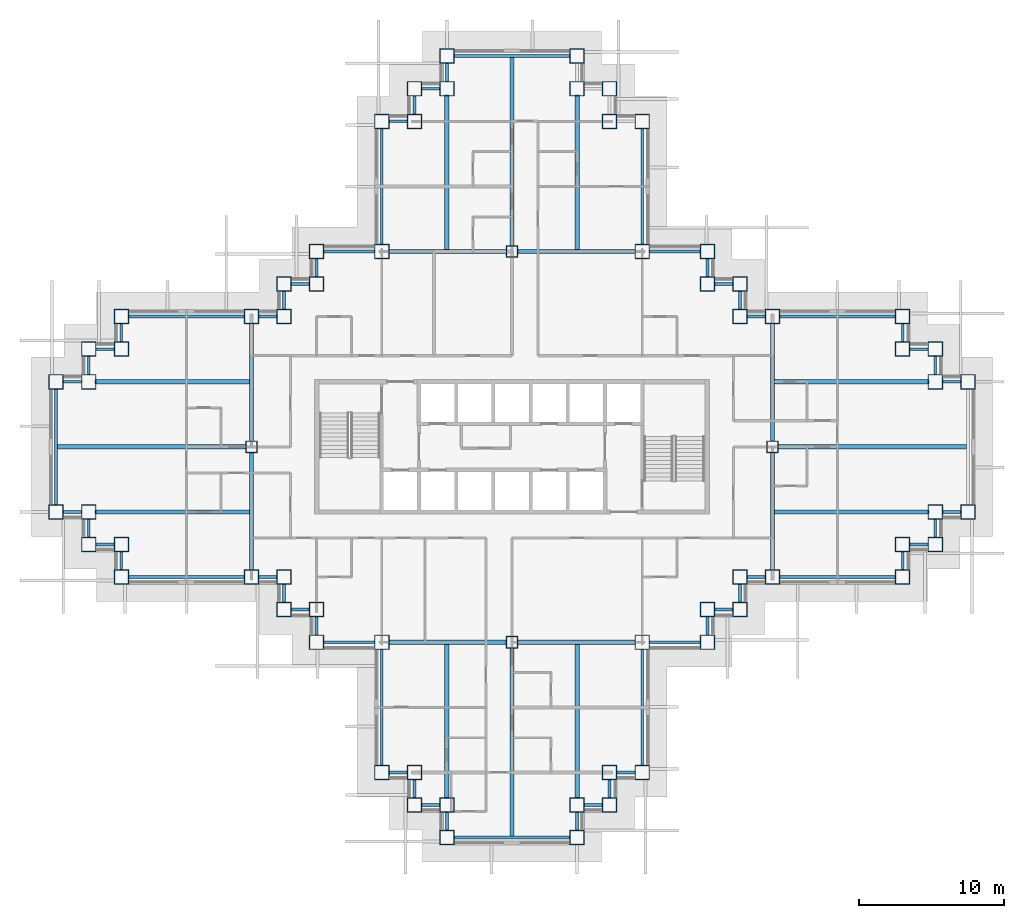
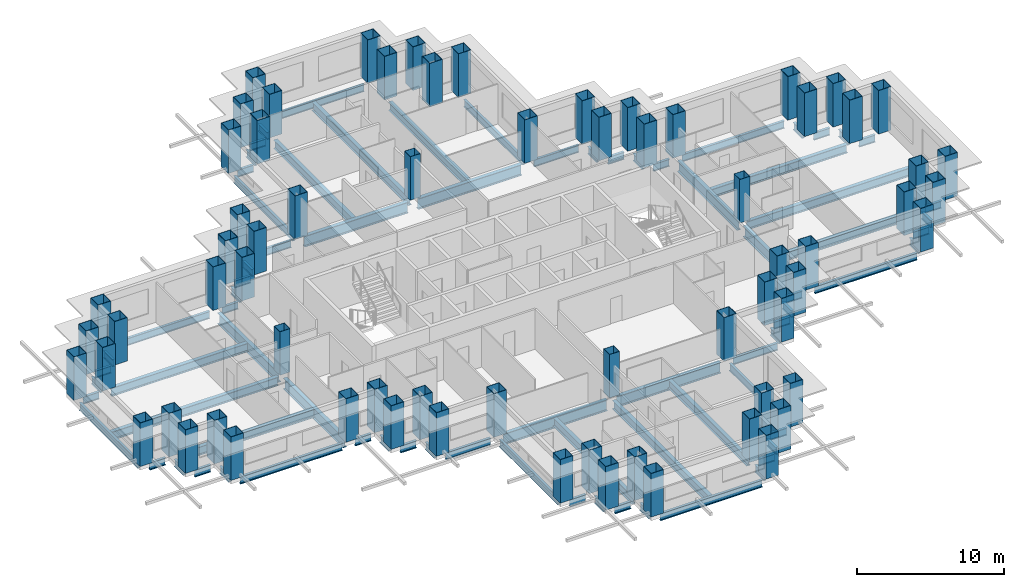
# One storey, part 1 of 15: 79 beams, 68 columns.
"""IFC4 building model written with IfcOpenShell, lengths in metres."""

from ifc_helpers import new_model, si_unit, direction, frame, origin, origin_2d, place, context, subcontext, project, spatial, hollow_rectangle, i_section, extrude, material, material_profile, profile_set, type_object, element, save


model = new_model("IFC4")

# Units and contexts
model_context = context("Model", 3, precision=1e-05, world=origin(), true_north=direction((0.0, 1.0)))
body_context = subcontext(model_context, "Body", "Model", "MODEL_VIEW")
ifc_project = project(units=[si_unit("LENGTHUNIT", "METRE"), si_unit("AREAUNIT", "SQUARE_METRE"), si_unit("VOLUMEUNIT", "CUBIC_METRE"), si_unit("PLANEANGLEUNIT", "RADIAN"), si_unit("MASSUNIT", "GRAM", prefix="KILO")], contexts=[model_context])

# Site, building, storey
site_placement = place(None, origin())
site = spatial("IfcSite", under=ifc_project, at=site_placement, CompositionType="ELEMENT")
building_placement = place(site_placement, origin())
building = spatial("IfcBuilding", under=site, at=building_placement, Name="Caravel Reach Hotel and Residences", CompositionType="ELEMENT")
storey_placement = place(building_placement, frame((0.0, 0.0, 70.800048828125)))
storey = spatial("IfcBuildingStorey", under=building, at=storey_placement, Name="L16", CompositionType="ELEMENT", Elevation=70.800048828125)

# Columns
ifc_material_1 = material(Name="Concrete-filled steel tube Q390B with Concrete C70 infill", Category="concrete")
ifc_material_profile_1 = material_profile(ifc_material_1, hollow_rectangle(XDim=1.0, YDim=1.0, WallThickness=0.031982421875, at=origin_2d()), Name="RHS 1000x1000x32")
ifc_profile_set_1 = profile_set([ifc_material_profile_1], Name="Concrete-filled steel tube Q390B with Concrete C70 infill")
column_type_1 = type_object("IfcColumnType", Name="CFT 1000x1000 Q390B C70", PredefinedType="COLUMN", material=ifc_profile_set_1)
for number, where, z_axis, x_axis, name in (
    (1, (22.5, 4.5, 0.0), (0.0, 0.0, 1.0), (1.0, 0.0, 0.0), "C2 column"),
    (2, (24.75, 4.5, 0.0), (0.0, 0.0, 1.0), (1.0, 0.0, 0.0), "C2 column"),
    (3, (24.75, 2.25, 0.0), (0.0, 0.0, 1.0), (1.0, 0.0, 0.0), "C2 column"),
    (4, (27.0, 2.25, 0.0), (0.0, 0.0, 1.0), (1.0, 0.0, 0.0), "C2 column"),
    (5, (27.0, 0.0, 0.0), (0.0, 0.0, 1.0), (1.0, 0.0, 0.0), "C2 column"),
    (6, (36.0, 0.0, 0.0), (0.0, 0.0, 1.0), (1.0, 0.0, 0.0), "C2 column"),
    (7, (36.0, 2.25, 0.0), (0.0, 0.0, 1.0), (1.0, 0.0, 0.0), "C2 column"),
    (8, (38.25, 2.25, 0.0), (0.0, 0.0, 1.0), (1.0, 0.0, 0.0), "C2 column"),
    (9, (38.25, 4.5, 0.0), (0.0, 0.0, 1.0), (1.0, 0.0, 0.0), "C2 column"),
    (10, (40.5, 4.5, 0.0), (0.0, 0.0, 1.0), (1.0, 0.0, 0.0), "C2 column"),
    (11, (40.5, 13.5, 0.0), (0.0, 0.0, 1.0), (1.0, 0.0, 0.0), "C2 column"),
    (12, (45.0, 13.5, 0.0), (0.0, 0.0, 1.0), (1.0, 0.0, 0.0), "C2 column"),
    (13, (45.0, 15.75, 0.0), (0.0, 0.0, 1.0), (1.0, 0.0, 0.0), "C2 column"),
    (14, (47.25, 15.75, 0.0), (0.0, 0.0, 1.0), (1.0, 0.0, 0.0), "C2 column"),
    (15, (47.25, 18.0, 0.0), (0.0, 0.0, 1.0), (1.0, 0.0, 0.0), "C2 column"),
    (16, (49.5, 18.0, 0.0), (0.0, 0.0, 1.0), (1.0, 0.0, 0.0), "C2 column"),
    (17, (58.5, 18.0, 0.0), (0.0, 0.0, 1.0), (1.0, 0.0, 0.0), "C2 column"),
    (18, (58.5, 20.25, 0.0), (0.0, 0.0, 1.0), (1.0, 0.0, 0.0), "C2 column"),
    (19, (60.75, 20.25, 0.0), (0.0, 0.0, 1.0), (1.0, 0.0, 0.0), "C2 column"),
    (20, (60.75, 22.5, 0.0), (0.0, 0.0, 1.0), (1.0, 0.0, 0.0), "C2 column"),
    (21, (63.0, 22.5, 0.0), (0.0, 0.0, 1.0), (1.0, 0.0, 0.0), "C2 column"),
    (22, (63.0, 31.5, 0.0), (0.0, 0.0, 1.0), (1.0, 0.0, 0.0), "C2 column"),
    (23, (60.75, 31.5, 0.0), (0.0, 0.0, 1.0), (1.0, 0.0, 0.0), "C2 column"),
    (24, (60.75, 33.75, 0.0), (0.0, 0.0, 1.0), (1.0, 0.0, 0.0), "C2 column"),
    (25, (58.5, 33.75, 0.0), (0.0, 0.0, 1.0), (1.0, 0.0, 0.0), "C2 column"),
    (26, (58.5, 36.0, 0.0), (0.0, 0.0, 1.0), (1.0, 0.0, 0.0), "C2 column"),
    (27, (49.5, 36.0, 0.0), (0.0, 0.0, 1.0), (1.0, 0.0, 0.0), "C2 column"),
    (28, (47.25, 36.0, 0.0), (0.0, 0.0, 1.0), (1.0, 0.0, 0.0), "C2 column"),
    (29, (47.25, 38.25, 0.0), (0.0, 0.0, 1.0), (1.0, 0.0, 0.0), "C2 column"),
    (30, (45.0, 38.25, 0.0), (0.0, 0.0, 1.0), (1.0, 0.0, 0.0), "C2 column"),
    (31, (45.0, 40.5, 0.0), (0.0, 0.0, 1.0), (1.0, 0.0, 0.0), "C2 column"),
    (32, (40.5, 40.5, 0.0), (0.0, 0.0, 1.0), (1.0, 0.0, 0.0), "C2 column"),
    (33, (40.5, 49.5, 0.0), (0.0, 0.0, 1.0), (1.0, 0.0, 0.0), "C2 column"),
    (34, (38.25, 49.5, 0.0), (0.0, 0.0, 1.0), (1.0, 0.0, 0.0), "C2 column"),
    (35, (38.25, 51.75, 0.0), (0.0, 0.0, 1.0), (1.0, 0.0, 0.0), "C2 column"),
    (36, (36.0, 51.75, 0.0), (0.0, 0.0, 1.0), (1.0, 0.0, 0.0), "C2 column"),
    (37, (36.0, 54.0, 0.0), (0.0, 0.0, 1.0), (1.0, 0.0, 0.0), "C2 column"),
    (38, (27.0, 54.0, 0.0), (0.0, 0.0, 1.0), (1.0, 0.0, 0.0), "C2 column"),
    (39, (27.0, 51.75, 0.0), (0.0, 0.0, 1.0), (1.0, 0.0, 0.0), "C2 column"),
    (40, (24.75, 51.75, 0.0), (0.0, 0.0, 1.0), (1.0, 0.0, 0.0), "C2 column"),
    (41, (24.75, 49.5, 0.0), (0.0, 0.0, 1.0), (1.0, 0.0, 0.0), "C2 column"),
    (42, (22.5, 49.5, 0.0), (0.0, 0.0, 1.0), (1.0, 0.0, 0.0), "C2 column"),
    (43, (22.5, 40.5, 0.0), (0.0, 0.0, 1.0), (1.0, 0.0, 0.0), "C2 column"),
    (44, (18.0, 40.5, 0.0), (0.0, 0.0, 1.0), (1.0, 0.0, 0.0), "C2 column"),
    (45, (18.0, 38.25, 0.0), (0.0, 0.0, 1.0), (1.0, 0.0, 0.0), "C2 column"),
    (46, (15.75, 38.25, 0.0), (0.0, 0.0, 1.0), (1.0, 0.0, 0.0), "C2 column"),
    (47, (15.75, 36.0, 0.0), (0.0, 0.0, 1.0), (1.0, 0.0, 0.0), "C2 column"),
    (48, (13.5, 36.0, 0.0), (0.0, 0.0, 1.0), (1.0, 0.0, 0.0), "C2 column"),
    (49, (4.5, 36.0, 0.0), (0.0, 0.0, 1.0), (1.0, 0.0, 0.0), "C2 column"),
    (50, (4.5, 33.75, 0.0), (0.0, 0.0, 1.0), (1.0, 0.0, 0.0), "C2 column"),
    (51, (2.25, 33.75, 0.0), (0.0, 0.0, 1.0), (1.0, 0.0, 0.0), "C2 column"),
    (52, (2.25, 31.5, 0.0), (0.0, 0.0, 1.0), (1.0, 0.0, 0.0), "C2 column"),
    (53, (0.0, 31.5, 0.0), (0.0, 0.0, 1.0), (1.0, 0.0, 0.0), "C2 column"),
    (54, (0.0, 22.5, 0.0), (0.0, 0.0, 1.0), (1.0, 0.0, 0.0), "C2 column"),
    (55, (2.25, 22.5, 0.0), (0.0, 0.0, 1.0), (1.0, 0.0, 0.0), "C2 column"),
    (56, (2.25, 20.25, 0.0), (0.0, 0.0, 1.0), (1.0, 0.0, 0.0), "C2 column"),
    (57, (4.5, 20.25, 0.0), (0.0, 0.0, 1.0), (1.0, 0.0, 0.0), "C2 column"),
    (58, (4.5, 18.0, 0.0), (0.0, 0.0, 1.0), (1.0, 0.0, 0.0), "C2 column"),
    (59, (13.5, 18.0, 0.0), (0.0, 0.0, 1.0), (1.0, 0.0, 0.0), "C2 column"),
    (60, (15.75, 18.0, 0.0), (0.0, 0.0, 1.0), (1.0, 0.0, 0.0), "C2 column"),
    (61, (15.75, 15.75, 0.0), (0.0, 0.0, 1.0), (1.0, 0.0, 0.0), "C2 column"),
    (62, (18.0, 15.75, 0.0), (0.0, 0.0, 1.0), (1.0, 0.0, 0.0), "C2 column"),
    (63, (18.0, 13.5, 0.0), (0.0, 0.0, 1.0), (1.0, 0.0, 0.0), "C2 column"),
    (64, (22.5, 13.5, 0.0), (0.0, 0.0, 1.0), (1.0, 0.0, 0.0), "C2 column"),
):
    element("IfcColumn", number, at=place(storey_placement, frame(where, z_axis=z_axis, x_axis=x_axis)), inside=storey, type_object=column_type_1, Name=name, PredefinedType="COLUMN", context=body_context, shape_type="SweptSolid", body=[
        extrude(hollow_rectangle(XDim=1.0, YDim=1.0, WallThickness=0.031982421875, at=origin_2d()), origin(), (0.0, 0.0, 1.0), 3.599853515625),
    ])
ifc_material_2 = material(Name="Concrete-filled steel tube Q390B with Concrete C70 infill", Category="concrete")
ifc_material_profile_2 = material_profile(ifc_material_2, hollow_rectangle(XDim=0.800048828125, YDim=0.800048828125, WallThickness=0.02490234375, at=origin_2d()), Name="RHS 800x800x25")
ifc_profile_set_2 = profile_set([ifc_material_profile_2], Name="Concrete-filled steel tube Q390B with Concrete C70 infill")
column_type_2 = type_object("IfcColumnType", Name="CFT 800x800 Q390B C70", PredefinedType="COLUMN", material=ifc_profile_set_2)
for number, where, z_axis, x_axis, name in (
    (65, (31.5, 40.5, 0.0), (0.0, 0.0, 1.0), (1.0, 0.0, 0.0), "C4 column"),
    (66, (31.5, 13.5, 0.0), (0.0, 0.0, 1.0), (1.0, 0.0, 0.0), "C4 column"),
    (67, (13.5, 27.0, 0.0), (0.0, 0.0, 1.0), (1.0, 0.0, 0.0), "C4 column"),
    (68, (49.5, 27.0, 0.0), (0.0, 0.0, 1.0), (1.0, 0.0, 0.0), "C4 column"),
):
    element("IfcColumn", number, at=place(storey_placement, frame(where, z_axis=z_axis, x_axis=x_axis)), inside=storey, type_object=column_type_2, Name=name, PredefinedType="COLUMN", context=body_context, shape_type="SweptSolid", body=[
        extrude(hollow_rectangle(XDim=0.800048828125, YDim=0.800048828125, WallThickness=0.02490234375, at=origin_2d()), origin(), (0.0, 0.0, 1.0), 3.599853515625),
    ])

# Beams
ifc_material_3 = material(Name="Structural steel Q355B", Category="steel")
ifc_material_profile_3 = material_profile(ifc_material_3, i_section(OverallWidth=0.300048828125, OverallDepth=0.699951171875, WebThickness=0.012939453125, FlangeThickness=0.02392578125, FilletRadius=0.01806640625, at=origin_2d()), Name="HN 700x300x13x24")
ifc_profile_set_3 = profile_set([ifc_material_profile_3], Name="Structural steel Q355B")
beam_type_1 = type_object("IfcBeamType", Name="Beam HN 700x300x13x24", PredefinedType="BEAM", material=ifc_profile_set_3)
beam_1_placement = place(storey_placement, frame((27.0, 40.60009765625, -0.650146484375), z_axis=(0.0, 1.0, 0.0), x_axis=(-1.0, 0.0, 0.0)))
element("IfcBeam", 69, at=beam_1_placement, inside=storey, type_object=beam_type_1, Name="B2 HN 700x300x13x24", PredefinedType="BEAM", context=body_context, shape_type="SweptSolid", body=[
    extrude(i_section(OverallWidth=0.300048828125, OverallDepth=0.699951171875, WebThickness=0.012939453125, FlangeThickness=0.02392578125, FilletRadius=0.01806640625, at=origin_2d()), origin(), (0.0, 0.0, 1.0), 10.699951171875),
])
beam_2_placement = place(storey_placement, frame((31.5, 40.85009765625, -0.650146484375), z_axis=(0.0, 1.0, 0.0), x_axis=(-1.0, 0.0, 0.0)))
element("IfcBeam", 70, at=beam_2_placement, inside=storey, type_object=beam_type_1, Name="B2 HN 700x300x13x24", PredefinedType="BEAM", context=body_context, shape_type="SweptSolid", body=[
    extrude(i_section(OverallWidth=0.300048828125, OverallDepth=0.699951171875, WebThickness=0.012939453125, FlangeThickness=0.02392578125, FilletRadius=0.01806640625, at=origin_2d()), origin(), (0.0, 0.0, 1.0), 13.0498046875),
])
for number, where, z_axis, x_axis, name in (
    (71, (36.0, 40.60009765625, -0.650146484375), (0.0, 1.0, 0.0), (-1.0, 0.0, 0.0), "B2 HN 700x300x13x24"),
    (72, (27.0, 13.39990234375, -0.650146484375), (0.0, -1.0, 0.0), (1.0, 0.0, 0.0), "B2 HN 700x300x13x24"),
):
    element("IfcBeam", number, at=place(storey_placement, frame(where, z_axis=z_axis, x_axis=x_axis)), inside=storey, type_object=beam_type_1, Name=name, PredefinedType="BEAM", context=body_context, shape_type="SweptSolid", body=[
        extrude(i_section(OverallWidth=0.300048828125, OverallDepth=0.699951171875, WebThickness=0.012939453125, FlangeThickness=0.02392578125, FilletRadius=0.01806640625, at=origin_2d()), origin(), (0.0, 0.0, 1.0), 10.699951171875),
    ])
beam_3_placement = place(storey_placement, frame((31.5, 13.14990234375, -0.650146484375), z_axis=(0.0, -1.0, 0.0), x_axis=(1.0, 0.0, 0.0)))
element("IfcBeam", 73, at=beam_3_placement, inside=storey, type_object=beam_type_1, Name="B2 HN 700x300x13x24", PredefinedType="BEAM", context=body_context, shape_type="SweptSolid", body=[
    extrude(i_section(OverallWidth=0.300048828125, OverallDepth=0.699951171875, WebThickness=0.012939453125, FlangeThickness=0.02392578125, FilletRadius=0.01806640625, at=origin_2d()), origin(), (0.0, 0.0, 1.0), 13.0498046875),
])
for number, where, z_axis, x_axis, name in (
    (74, (36.0, 13.39990234375, -0.650146484375), (0.0, -1.0, 0.0), (1.0, 0.0, 0.0), "B2 HN 700x300x13x24"),
    (75, (49.60009765625, 22.5, -0.650146484375), (1.0, 0.0, 0.0), (0.0, 1.0, 0.0), "B2 HN 700x300x13x24"),
):
    element("IfcBeam", number, at=place(storey_placement, frame(where, z_axis=z_axis, x_axis=x_axis)), inside=storey, type_object=beam_type_1, Name=name, PredefinedType="BEAM", context=body_context, shape_type="SweptSolid", body=[
        extrude(i_section(OverallWidth=0.300048828125, OverallDepth=0.699951171875, WebThickness=0.012939453125, FlangeThickness=0.02392578125, FilletRadius=0.01806640625, at=origin_2d()), origin(), (0.0, 0.0, 1.0), 10.699951171875),
    ])
beam_4_placement = place(storey_placement, frame((49.85009765625, 27.0, -0.650146484375), z_axis=(1.0, 0.0, 0.0), x_axis=(0.0, 1.0, 0.0)))
element("IfcBeam", 76, at=beam_4_placement, inside=storey, type_object=beam_type_1, Name="B2 HN 700x300x13x24", PredefinedType="BEAM", context=body_context, shape_type="SweptSolid", body=[
    extrude(i_section(OverallWidth=0.300048828125, OverallDepth=0.699951171875, WebThickness=0.012939453125, FlangeThickness=0.02392578125, FilletRadius=0.01806640625, at=origin_2d()), origin(), (0.0, 0.0, 1.0), 13.0498046875),
])
for number, where, z_axis, x_axis, name in (
    (77, (49.60009765625, 31.5, -0.650146484375), (1.0, 0.0, 0.0), (0.0, 1.0, 0.0), "B2 HN 700x300x13x24"),
    (78, (13.39990234375, 22.5, -0.650146484375), (-1.0, 0.0, 0.0), (0.0, -1.0, 0.0), "B2 HN 700x300x13x24"),
):
    element("IfcBeam", number, at=place(storey_placement, frame(where, z_axis=z_axis, x_axis=x_axis)), inside=storey, type_object=beam_type_1, Name=name, PredefinedType="BEAM", context=body_context, shape_type="SweptSolid", body=[
        extrude(i_section(OverallWidth=0.300048828125, OverallDepth=0.699951171875, WebThickness=0.012939453125, FlangeThickness=0.02392578125, FilletRadius=0.01806640625, at=origin_2d()), origin(), (0.0, 0.0, 1.0), 10.699951171875),
    ])
beam_5_placement = place(storey_placement, frame((13.14990234375, 27.0, -0.650146484375), z_axis=(-1.0, 0.0, 0.0), x_axis=(0.0, -1.0, 0.0)))
element("IfcBeam", 79, at=beam_5_placement, inside=storey, type_object=beam_type_1, Name="B2 HN 700x300x13x24", PredefinedType="BEAM", context=body_context, shape_type="SweptSolid", body=[
    extrude(i_section(OverallWidth=0.300048828125, OverallDepth=0.699951171875, WebThickness=0.012939453125, FlangeThickness=0.02392578125, FilletRadius=0.01806640625, at=origin_2d()), origin(), (0.0, 0.0, 1.0), 13.0498046875),
])
beam_6_placement = place(storey_placement, frame((13.39990234375, 31.5, -0.650146484375), z_axis=(-1.0, 0.0, 0.0), x_axis=(0.0, -1.0, 0.0)))
element("IfcBeam", 80, at=beam_6_placement, inside=storey, type_object=beam_type_1, Name="B2 HN 700x300x13x24", PredefinedType="BEAM", context=body_context, shape_type="SweptSolid", body=[
    extrude(i_section(OverallWidth=0.300048828125, OverallDepth=0.699951171875, WebThickness=0.012939453125, FlangeThickness=0.02392578125, FilletRadius=0.01806640625, at=origin_2d()), origin(), (0.0, 0.0, 1.0), 10.699951171875),
])
ifc_material_4 = material(Name="Structural steel Q355B", Category="steel")
ifc_material_profile_4 = material_profile(ifc_material_4, i_section(OverallWidth=0.300048828125, OverallDepth=0.89990234375, WebThickness=0.01611328125, FlangeThickness=0.028076171875, FilletRadius=0.01806640625, at=origin_2d()), Name="HN 900x300x16x28")
ifc_profile_set_4 = profile_set([ifc_material_profile_4], Name="Structural steel Q355B")
beam_type_2 = type_object("IfcBeamType", Name="Beam HN 900x300x16x28", PredefinedType="BEAM", material=ifc_profile_set_4)
for number, where, z_axis, x_axis, name in (
    (81, (23.0, 40.5, -0.75), (1.0, 0.0, 0.0), (0.0, 1.0, 0.0), "B3 HN 900x300x16x28"),
    (82, (31.89990234375, 40.5, -0.75), (1.0, 0.0, 0.0), (0.0, 1.0, 0.0), "B3 HN 900x300x16x28"),
    (83, (23.0, 13.5, -0.75), (1.0, 0.0, 0.0), (0.0, 1.0, 0.0), "B3 HN 900x300x16x28"),
    (84, (31.89990234375, 13.5, -0.75), (1.0, 0.0, 0.0), (0.0, 1.0, 0.0), "B3 HN 900x300x16x28"),
    (85, (13.5, 18.5, -0.75), (0.0, 1.0, 0.0), (-1.0, 0.0, 0.0), "B3 HN 900x300x16x28"),
    (86, (13.5, 27.39990234375, -0.75), (0.0, 1.0, 0.0), (-1.0, 0.0, 0.0), "B3 HN 900x300x16x28"),
    (87, (49.5, 18.5, -0.75), (0.0, 1.0, 0.0), (-1.0, 0.0, 0.0), "B3 HN 900x300x16x28"),
    (88, (49.5, 27.39990234375, -0.75), (0.0, 1.0, 0.0), (-1.0, 0.0, 0.0), "B3 HN 900x300x16x28"),
):
    element("IfcBeam", number, at=place(storey_placement, frame(where, z_axis=z_axis, x_axis=x_axis)), inside=storey, type_object=beam_type_2, Name=name, PredefinedType="BEAM", context=body_context, shape_type="SweptSolid", body=[
        extrude(i_section(OverallWidth=0.300048828125, OverallDepth=0.89990234375, WebThickness=0.01611328125, FlangeThickness=0.028076171875, FilletRadius=0.01806640625, at=origin_2d()), origin(), (0.0, 0.0, 1.0), 8.10009765625),
    ])
ifc_material_5 = material(Name="Structural steel Q355B", Category="steel")
ifc_material_profile_5 = material_profile(ifc_material_5, i_section(OverallWidth=0.199951171875, OverallDepth=0.60009765625, WebThickness=0.010986328125, FlangeThickness=0.01708984375, FilletRadius=0.012939453125, at=origin_2d()), Name="HN 600x200x11x17")
ifc_profile_set_5 = profile_set([ifc_material_profile_5], Name="Structural steel Q355B")
beam_type_3 = type_object("IfcBeamType", Name="Spandrel beam HN 600x200x11x17", PredefinedType="SPANDREL", material=ifc_profile_set_5)
for number, where, z_axis, x_axis, name in (
    (89, (23.0, 4.5, -0.60009765625), (1.0, 0.0, 0.0), (0.0, 1.0, 0.0), "SP1 HN 600x200x11x17"),
    (90, (24.75, 4.0, -0.60009765625), (0.0, -1.0, 0.0), (1.0, 0.0, 0.0), "SP1 HN 600x200x11x17"),
    (91, (25.25, 2.25, -0.60009765625), (1.0, 0.0, 0.0), (0.0, 1.0, 0.0), "SP1 HN 600x200x11x17"),
    (92, (27.0, 1.75, -0.60009765625), (0.0, -1.0, 0.0), (1.0, 0.0, 0.0), "SP1 HN 600x200x11x17"),
):
    element("IfcBeam", number, at=place(storey_placement, frame(where, z_axis=z_axis, x_axis=x_axis)), inside=storey, type_object=beam_type_3, Name=name, PredefinedType="SPANDREL", context=body_context, shape_type="SweptSolid", body=[
        extrude(i_section(OverallWidth=0.199951171875, OverallDepth=0.60009765625, WebThickness=0.010986328125, FlangeThickness=0.01708984375, FilletRadius=0.012939453125, at=origin_2d()), origin(), (0.0, 0.0, 1.0), 1.25),
    ])
beam_7_placement = place(storey_placement, frame((27.5, 0.0, -0.60009765625), z_axis=(1.0, 0.0, 0.0), x_axis=(0.0, 1.0, 0.0)))
element("IfcBeam", 93, at=beam_7_placement, inside=storey, type_object=beam_type_3, Name="SP1 HN 600x200x11x17", PredefinedType="SPANDREL", context=body_context, shape_type="SweptSolid", body=[
    extrude(i_section(OverallWidth=0.199951171875, OverallDepth=0.60009765625, WebThickness=0.010986328125, FlangeThickness=0.01708984375, FilletRadius=0.012939453125, at=origin_2d()), origin(), (0.0, 0.0, 1.0), 8.0),
])
for number, where, z_axis, x_axis, name in (
    (94, (36.0, 0.5, -0.60009765625), (0.0, 1.0, 0.0), (-1.0, 0.0, 0.0), "SP1 HN 600x200x11x17"),
    (95, (36.5, 2.25, -0.60009765625), (1.0, 0.0, 0.0), (0.0, 1.0, 0.0), "SP1 HN 600x200x11x17"),
    (96, (38.25, 2.75, -0.60009765625), (0.0, 1.0, 0.0), (-1.0, 0.0, 0.0), "SP1 HN 600x200x11x17"),
    (97, (38.75, 4.5, -0.60009765625), (1.0, 0.0, 0.0), (0.0, 1.0, 0.0), "SP1 HN 600x200x11x17"),
):
    element("IfcBeam", number, at=place(storey_placement, frame(where, z_axis=z_axis, x_axis=x_axis)), inside=storey, type_object=beam_type_3, Name=name, PredefinedType="SPANDREL", context=body_context, shape_type="SweptSolid", body=[
        extrude(i_section(OverallWidth=0.199951171875, OverallDepth=0.60009765625, WebThickness=0.010986328125, FlangeThickness=0.01708984375, FilletRadius=0.012939453125, at=origin_2d()), origin(), (0.0, 0.0, 1.0), 1.25),
    ])
beam_8_placement = place(storey_placement, frame((40.5, 5.0, -0.60009765625), z_axis=(0.0, 1.0, 0.0), x_axis=(-1.0, 0.0, 0.0)))
element("IfcBeam", 98, at=beam_8_placement, inside=storey, type_object=beam_type_3, Name="SP1 HN 600x200x11x17", PredefinedType="SPANDREL", context=body_context, shape_type="SweptSolid", body=[
    extrude(i_section(OverallWidth=0.199951171875, OverallDepth=0.60009765625, WebThickness=0.010986328125, FlangeThickness=0.01708984375, FilletRadius=0.012939453125, at=origin_2d()), origin(), (0.0, 0.0, 1.0), 8.0),
])
beam_9_placement = place(storey_placement, frame((41.0, 13.5, -0.60009765625), z_axis=(1.0, 0.0, 0.0), x_axis=(0.0, 1.0, 0.0)))
element("IfcBeam", 99, at=beam_9_placement, inside=storey, type_object=beam_type_3, Name="SP1 HN 600x200x11x17", PredefinedType="SPANDREL", context=body_context, shape_type="SweptSolid", body=[
    extrude(i_section(OverallWidth=0.199951171875, OverallDepth=0.60009765625, WebThickness=0.010986328125, FlangeThickness=0.01708984375, FilletRadius=0.012939453125, at=origin_2d()), origin(), (0.0, 0.0, 1.0), 3.5),
])
for number, where, z_axis, x_axis, name in (
    (100, (45.0, 14.0, -0.60009765625), (0.0, 1.0, 0.0), (-1.0, 0.0, 0.0), "SP1 HN 600x200x11x17"),
    (101, (45.5, 15.75, -0.60009765625), (1.0, 0.0, 0.0), (0.0, 1.0, 0.0), "SP1 HN 600x200x11x17"),
    (102, (47.25, 16.25, -0.60009765625), (0.0, 1.0, 0.0), (-1.0, 0.0, 0.0), "SP1 HN 600x200x11x17"),
    (103, (47.75, 18.0, -0.60009765625), (1.0, 0.0, 0.0), (0.0, 1.0, 0.0), "SP1 HN 600x200x11x17"),
):
    element("IfcBeam", number, at=place(storey_placement, frame(where, z_axis=z_axis, x_axis=x_axis)), inside=storey, type_object=beam_type_3, Name=name, PredefinedType="SPANDREL", context=body_context, shape_type="SweptSolid", body=[
        extrude(i_section(OverallWidth=0.199951171875, OverallDepth=0.60009765625, WebThickness=0.010986328125, FlangeThickness=0.01708984375, FilletRadius=0.012939453125, at=origin_2d()), origin(), (0.0, 0.0, 1.0), 1.25),
    ])
beam_10_placement = place(storey_placement, frame((50.0, 18.0, -0.60009765625), z_axis=(1.0, 0.0, 0.0), x_axis=(0.0, 1.0, 0.0)))
element("IfcBeam", 104, at=beam_10_placement, inside=storey, type_object=beam_type_3, Name="SP1 HN 600x200x11x17", PredefinedType="SPANDREL", context=body_context, shape_type="SweptSolid", body=[
    extrude(i_section(OverallWidth=0.199951171875, OverallDepth=0.60009765625, WebThickness=0.010986328125, FlangeThickness=0.01708984375, FilletRadius=0.012939453125, at=origin_2d()), origin(), (0.0, 0.0, 1.0), 8.0),
])
for number, where, z_axis, x_axis, name in (
    (105, (58.5, 18.5, -0.60009765625), (0.0, 1.0, 0.0), (-1.0, 0.0, 0.0), "SP1 HN 600x200x11x17"),
    (106, (59.0, 20.25, -0.60009765625), (1.0, 0.0, 0.0), (0.0, 1.0, 0.0), "SP1 HN 600x200x11x17"),
    (107, (60.75, 20.75, -0.60009765625), (0.0, 1.0, 0.0), (-1.0, 0.0, 0.0), "SP1 HN 600x200x11x17"),
    (108, (61.25, 22.5, -0.60009765625), (1.0, 0.0, 0.0), (0.0, 1.0, 0.0), "SP1 HN 600x200x11x17"),
    (109, (62.5, 31.5, -0.60009765625), (-1.0, 0.0, 0.0), (0.0, -1.0, 0.0), "SP1 HN 600x200x11x17"),
    (110, (60.75, 32.0, -0.60009765625), (0.0, 1.0, 0.0), (-1.0, 0.0, 0.0), "SP1 HN 600x200x11x17"),
    (111, (60.25, 33.75, -0.60009765625), (-1.0, 0.0, 0.0), (0.0, -1.0, 0.0), "SP1 HN 600x200x11x17"),
    (112, (58.5, 34.25, -0.60009765625), (0.0, 1.0, 0.0), (-1.0, 0.0, 0.0), "SP1 HN 600x200x11x17"),
):
    element("IfcBeam", number, at=place(storey_placement, frame(where, z_axis=z_axis, x_axis=x_axis)), inside=storey, type_object=beam_type_3, Name=name, PredefinedType="SPANDREL", context=body_context, shape_type="SweptSolid", body=[
        extrude(i_section(OverallWidth=0.199951171875, OverallDepth=0.60009765625, WebThickness=0.010986328125, FlangeThickness=0.01708984375, FilletRadius=0.012939453125, at=origin_2d()), origin(), (0.0, 0.0, 1.0), 1.25),
    ])
beam_11_placement = place(storey_placement, frame((58.0, 36.0, -0.60009765625), z_axis=(-1.0, 0.0, 0.0), x_axis=(0.0, -1.0, 0.0)))
element("IfcBeam", 113, at=beam_11_placement, inside=storey, type_object=beam_type_3, Name="SP1 HN 600x200x11x17", PredefinedType="SPANDREL", context=body_context, shape_type="SweptSolid", body=[
    extrude(i_section(OverallWidth=0.199951171875, OverallDepth=0.60009765625, WebThickness=0.010986328125, FlangeThickness=0.01708984375, FilletRadius=0.012939453125, at=origin_2d()), origin(), (0.0, 0.0, 1.0), 8.0),
])
for number, where, z_axis, x_axis, name in (
    (114, (49.0, 36.0, -0.60009765625), (-1.0, 0.0, 0.0), (0.0, -1.0, 0.0), "SP1 HN 600x200x11x17"),
    (115, (47.25, 36.5, -0.60009765625), (0.0, 1.0, 0.0), (-1.0, 0.0, 0.0), "SP1 HN 600x200x11x17"),
    (116, (46.75, 38.25, -0.60009765625), (-1.0, 0.0, 0.0), (0.0, -1.0, 0.0), "SP1 HN 600x200x11x17"),
    (117, (45.0, 38.75, -0.60009765625), (0.0, 1.0, 0.0), (-1.0, 0.0, 0.0), "SP1 HN 600x200x11x17"),
):
    element("IfcBeam", number, at=place(storey_placement, frame(where, z_axis=z_axis, x_axis=x_axis)), inside=storey, type_object=beam_type_3, Name=name, PredefinedType="SPANDREL", context=body_context, shape_type="SweptSolid", body=[
        extrude(i_section(OverallWidth=0.199951171875, OverallDepth=0.60009765625, WebThickness=0.010986328125, FlangeThickness=0.01708984375, FilletRadius=0.012939453125, at=origin_2d()), origin(), (0.0, 0.0, 1.0), 1.25),
    ])
beam_12_placement = place(storey_placement, frame((44.5, 40.5, -0.60009765625), z_axis=(-1.0, 0.0, 0.0), x_axis=(0.0, -1.0, 0.0)))
element("IfcBeam", 118, at=beam_12_placement, inside=storey, type_object=beam_type_3, Name="SP1 HN 600x200x11x17", PredefinedType="SPANDREL", context=body_context, shape_type="SweptSolid", body=[
    extrude(i_section(OverallWidth=0.199951171875, OverallDepth=0.60009765625, WebThickness=0.010986328125, FlangeThickness=0.01708984375, FilletRadius=0.012939453125, at=origin_2d()), origin(), (0.0, 0.0, 1.0), 3.5),
])
for number, where, z_axis, x_axis, name in (
    (119, (40.5, 41.0, -0.60009765625), (0.0, 1.0, 0.0), (-1.0, 0.0, 0.0), "SP1 HN 600x200x11x17"),
    (120, (35.5, 54.0, -0.60009765625), (-1.0, 0.0, 0.0), (0.0, -1.0, 0.0), "SP1 HN 600x200x11x17"),
):
    element("IfcBeam", number, at=place(storey_placement, frame(where, z_axis=z_axis, x_axis=x_axis)), inside=storey, type_object=beam_type_3, Name=name, PredefinedType="SPANDREL", context=body_context, shape_type="SweptSolid", body=[
        extrude(i_section(OverallWidth=0.199951171875, OverallDepth=0.60009765625, WebThickness=0.010986328125, FlangeThickness=0.01708984375, FilletRadius=0.012939453125, at=origin_2d()), origin(), (0.0, 0.0, 1.0), 8.0),
    ])
for number, where, z_axis, x_axis, name in (
    (121, (27.0, 53.5, -0.60009765625), (0.0, -1.0, 0.0), (1.0, 0.0, 0.0), "SP1 HN 600x200x11x17"),
    (122, (26.5, 51.75, -0.60009765625), (-1.0, 0.0, 0.0), (0.0, -1.0, 0.0), "SP1 HN 600x200x11x17"),
    (123, (24.75, 51.25, -0.60009765625), (0.0, -1.0, 0.0), (1.0, 0.0, 0.0), "SP1 HN 600x200x11x17"),
    (124, (24.25, 49.5, -0.60009765625), (-1.0, 0.0, 0.0), (0.0, -1.0, 0.0), "SP1 HN 600x200x11x17"),
):
    element("IfcBeam", number, at=place(storey_placement, frame(where, z_axis=z_axis, x_axis=x_axis)), inside=storey, type_object=beam_type_3, Name=name, PredefinedType="SPANDREL", context=body_context, shape_type="SweptSolid", body=[
        extrude(i_section(OverallWidth=0.199951171875, OverallDepth=0.60009765625, WebThickness=0.010986328125, FlangeThickness=0.01708984375, FilletRadius=0.012939453125, at=origin_2d()), origin(), (0.0, 0.0, 1.0), 1.25),
    ])
beam_13_placement = place(storey_placement, frame((22.5, 49.0, -0.60009765625), z_axis=(0.0, -1.0, 0.0), x_axis=(1.0, 0.0, 0.0)))
element("IfcBeam", 125, at=beam_13_placement, inside=storey, type_object=beam_type_3, Name="SP1 HN 600x200x11x17", PredefinedType="SPANDREL", context=body_context, shape_type="SweptSolid", body=[
    extrude(i_section(OverallWidth=0.199951171875, OverallDepth=0.60009765625, WebThickness=0.010986328125, FlangeThickness=0.01708984375, FilletRadius=0.012939453125, at=origin_2d()), origin(), (0.0, 0.0, 1.0), 8.0),
])
beam_14_placement = place(storey_placement, frame((22.0, 40.5, -0.60009765625), z_axis=(-1.0, 0.0, 0.0), x_axis=(0.0, -1.0, 0.0)))
element("IfcBeam", 126, at=beam_14_placement, inside=storey, type_object=beam_type_3, Name="SP1 HN 600x200x11x17", PredefinedType="SPANDREL", context=body_context, shape_type="SweptSolid", body=[
    extrude(i_section(OverallWidth=0.199951171875, OverallDepth=0.60009765625, WebThickness=0.010986328125, FlangeThickness=0.01708984375, FilletRadius=0.012939453125, at=origin_2d()), origin(), (0.0, 0.0, 1.0), 3.5),
])
for number, where, z_axis, x_axis, name in (
    (127, (18.0, 40.0, -0.60009765625), (0.0, -1.0, 0.0), (1.0, 0.0, 0.0), "SP1 HN 600x200x11x17"),
    (128, (17.5, 38.25, -0.60009765625), (-1.0, 0.0, 0.0), (0.0, -1.0, 0.0), "SP1 HN 600x200x11x17"),
    (129, (15.75, 37.75, -0.60009765625), (0.0, -1.0, 0.0), (1.0, 0.0, 0.0), "SP1 HN 600x200x11x17"),
    (130, (15.25, 36.0, -0.60009765625), (-1.0, 0.0, 0.0), (0.0, -1.0, 0.0), "SP1 HN 600x200x11x17"),
):
    element("IfcBeam", number, at=place(storey_placement, frame(where, z_axis=z_axis, x_axis=x_axis)), inside=storey, type_object=beam_type_3, Name=name, PredefinedType="SPANDREL", context=body_context, shape_type="SweptSolid", body=[
        extrude(i_section(OverallWidth=0.199951171875, OverallDepth=0.60009765625, WebThickness=0.010986328125, FlangeThickness=0.01708984375, FilletRadius=0.012939453125, at=origin_2d()), origin(), (0.0, 0.0, 1.0), 1.25),
    ])
beam_15_placement = place(storey_placement, frame((13.0, 36.0, -0.60009765625), z_axis=(-1.0, 0.0, 0.0), x_axis=(0.0, -1.0, 0.0)))
element("IfcBeam", 131, at=beam_15_placement, inside=storey, type_object=beam_type_3, Name="SP1 HN 600x200x11x17", PredefinedType="SPANDREL", context=body_context, shape_type="SweptSolid", body=[
    extrude(i_section(OverallWidth=0.199951171875, OverallDepth=0.60009765625, WebThickness=0.010986328125, FlangeThickness=0.01708984375, FilletRadius=0.012939453125, at=origin_2d()), origin(), (0.0, 0.0, 1.0), 8.0),
])
for number, where, z_axis, x_axis, name in (
    (132, (4.5, 35.5, -0.60009765625), (0.0, -1.0, 0.0), (1.0, 0.0, 0.0), "SP1 HN 600x200x11x17"),
    (133, (4.0, 33.75, -0.60009765625), (-1.0, 0.0, 0.0), (0.0, -1.0, 0.0), "SP1 HN 600x200x11x17"),
    (134, (2.25, 33.25, -0.60009765625), (0.0, -1.0, 0.0), (1.0, 0.0, 0.0), "SP1 HN 600x200x11x17"),
    (135, (1.75, 31.5, -0.60009765625), (-1.0, 0.0, 0.0), (0.0, -1.0, 0.0), "SP1 HN 600x200x11x17"),
):
    element("IfcBeam", number, at=place(storey_placement, frame(where, z_axis=z_axis, x_axis=x_axis)), inside=storey, type_object=beam_type_3, Name=name, PredefinedType="SPANDREL", context=body_context, shape_type="SweptSolid", body=[
        extrude(i_section(OverallWidth=0.199951171875, OverallDepth=0.60009765625, WebThickness=0.010986328125, FlangeThickness=0.01708984375, FilletRadius=0.012939453125, at=origin_2d()), origin(), (0.0, 0.0, 1.0), 1.25),
    ])
beam_16_placement = place(storey_placement, frame((0.0, 31.0, -0.60009765625), z_axis=(0.0, -1.0, 0.0), x_axis=(1.0, 0.0, 0.0)))
element("IfcBeam", 136, at=beam_16_placement, inside=storey, type_object=beam_type_3, Name="SP1 HN 600x200x11x17", PredefinedType="SPANDREL", context=body_context, shape_type="SweptSolid", body=[
    extrude(i_section(OverallWidth=0.199951171875, OverallDepth=0.60009765625, WebThickness=0.010986328125, FlangeThickness=0.01708984375, FilletRadius=0.012939453125, at=origin_2d()), origin(), (0.0, 0.0, 1.0), 8.0),
])
for number, where, z_axis, x_axis, name in (
    (137, (0.5, 22.5, -0.60009765625), (1.0, 0.0, 0.0), (0.0, 1.0, 0.0), "SP1 HN 600x200x11x17"),
    (138, (2.25, 22.0, -0.60009765625), (0.0, -1.0, 0.0), (1.0, 0.0, 0.0), "SP1 HN 600x200x11x17"),
    (139, (2.75, 20.25, -0.60009765625), (1.0, 0.0, 0.0), (0.0, 1.0, 0.0), "SP1 HN 600x200x11x17"),
    (140, (4.5, 19.75, -0.60009765625), (0.0, -1.0, 0.0), (1.0, 0.0, 0.0), "SP1 HN 600x200x11x17"),
):
    element("IfcBeam", number, at=place(storey_placement, frame(where, z_axis=z_axis, x_axis=x_axis)), inside=storey, type_object=beam_type_3, Name=name, PredefinedType="SPANDREL", context=body_context, shape_type="SweptSolid", body=[
        extrude(i_section(OverallWidth=0.199951171875, OverallDepth=0.60009765625, WebThickness=0.010986328125, FlangeThickness=0.01708984375, FilletRadius=0.012939453125, at=origin_2d()), origin(), (0.0, 0.0, 1.0), 1.25),
    ])
beam_17_placement = place(storey_placement, frame((5.0, 18.0, -0.60009765625), z_axis=(1.0, 0.0, 0.0), x_axis=(0.0, 1.0, 0.0)))
element("IfcBeam", 141, at=beam_17_placement, inside=storey, type_object=beam_type_3, Name="SP1 HN 600x200x11x17", PredefinedType="SPANDREL", context=body_context, shape_type="SweptSolid", body=[
    extrude(i_section(OverallWidth=0.199951171875, OverallDepth=0.60009765625, WebThickness=0.010986328125, FlangeThickness=0.01708984375, FilletRadius=0.012939453125, at=origin_2d()), origin(), (0.0, 0.0, 1.0), 8.0),
])
for number, where, z_axis, x_axis, name in (
    (142, (14.0, 18.0, -0.60009765625), (1.0, 0.0, 0.0), (0.0, 1.0, 0.0), "SP1 HN 600x200x11x17"),
    (143, (15.75, 17.5, -0.60009765625), (0.0, -1.0, 0.0), (1.0, 0.0, 0.0), "SP1 HN 600x200x11x17"),
    (144, (16.25, 15.75, -0.60009765625), (1.0, 0.0, 0.0), (0.0, 1.0, 0.0), "SP1 HN 600x200x11x17"),
    (145, (18.0, 15.25, -0.60009765625), (0.0, -1.0, 0.0), (1.0, 0.0, 0.0), "SP1 HN 600x200x11x17"),
):
    element("IfcBeam", number, at=place(storey_placement, frame(where, z_axis=z_axis, x_axis=x_axis)), inside=storey, type_object=beam_type_3, Name=name, PredefinedType="SPANDREL", context=body_context, shape_type="SweptSolid", body=[
        extrude(i_section(OverallWidth=0.199951171875, OverallDepth=0.60009765625, WebThickness=0.010986328125, FlangeThickness=0.01708984375, FilletRadius=0.012939453125, at=origin_2d()), origin(), (0.0, 0.0, 1.0), 1.25),
    ])
beam_18_placement = place(storey_placement, frame((18.5, 13.5, -0.60009765625), z_axis=(1.0, 0.0, 0.0), x_axis=(0.0, 1.0, 0.0)))
element("IfcBeam", 146, at=beam_18_placement, inside=storey, type_object=beam_type_3, Name="SP1 HN 600x200x11x17", PredefinedType="SPANDREL", context=body_context, shape_type="SweptSolid", body=[
    extrude(i_section(OverallWidth=0.199951171875, OverallDepth=0.60009765625, WebThickness=0.010986328125, FlangeThickness=0.01708984375, FilletRadius=0.012939453125, at=origin_2d()), origin(), (0.0, 0.0, 1.0), 3.5),
])
beam_19_placement = place(storey_placement, frame((22.5, 13.0, -0.60009765625), z_axis=(0.0, -1.0, 0.0), x_axis=(1.0, 0.0, 0.0)))
element("IfcBeam", 147, at=beam_19_placement, inside=storey, type_object=beam_type_3, Name="SP1 HN 600x200x11x17", PredefinedType="SPANDREL", context=body_context, shape_type="SweptSolid", body=[
    extrude(i_section(OverallWidth=0.199951171875, OverallDepth=0.60009765625, WebThickness=0.010986328125, FlangeThickness=0.01708984375, FilletRadius=0.012939453125, at=origin_2d()), origin(), (0.0, 0.0, 1.0), 8.0),
])

save(model, "model.ifc")
